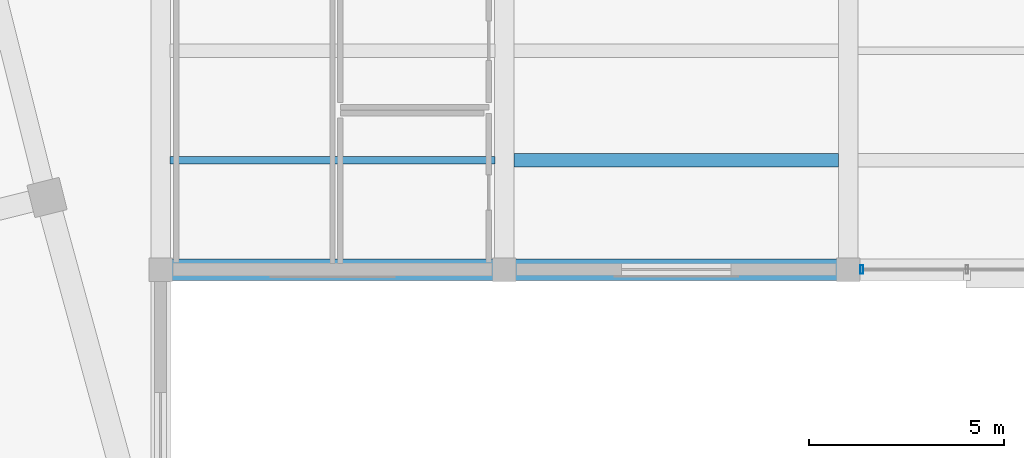
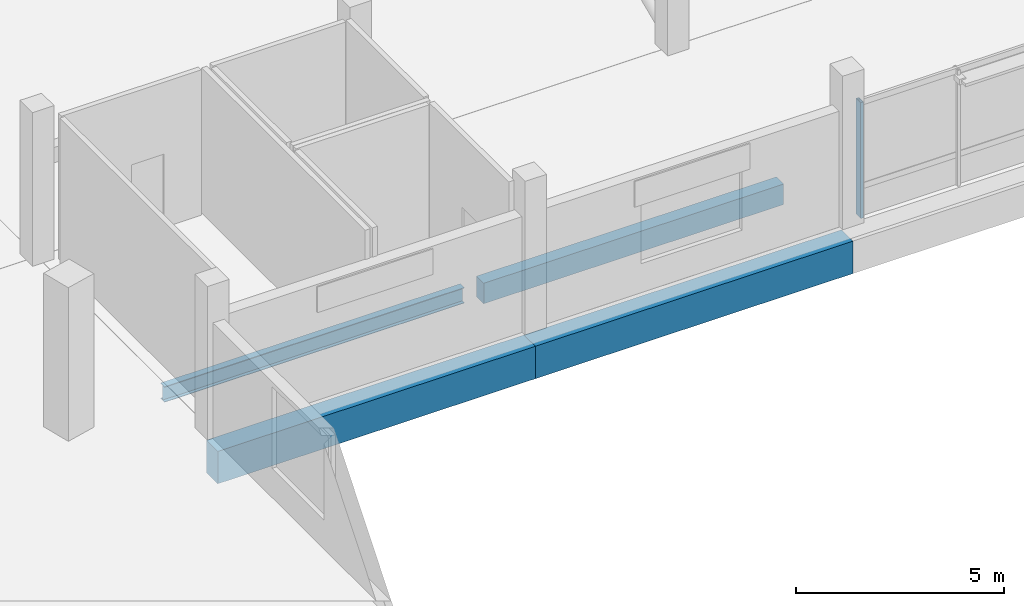
# One storey, part 35 of 77: 4 beams, 1 member, 1 element without a shape of its own.
"""IFC4 building model written with IfcOpenShell, lengths in metres."""

from ifc_helpers import new_model, si_unit, direction, frame, origin, origin_2d, place, context, subcontext, project, spatial, rectangle, hollow_rectangle, i_section, extrude, material, layer, layer_set, material_profile, profile_set, type_object, element, aggregate, save


model = new_model("IFC4")

# Units and contexts
model_context = context("Model", 3, precision=1e-05, world=origin(), true_north=direction((0.0, 1.0)))
body_context = subcontext(model_context, "Body", "Model", "MODEL_VIEW")
ifc_project = project(units=[si_unit("LENGTHUNIT", "METRE"), si_unit("AREAUNIT", "SQUARE_METRE"), si_unit("VOLUMEUNIT", "CUBIC_METRE"), si_unit("PLANEANGLEUNIT", "RADIAN"), si_unit("MASSUNIT", "GRAM", prefix="KILO")], contexts=[model_context])

# Site, building, storey
site_placement = place(None, origin())
site = spatial("IfcSite", under=ifc_project, at=site_placement, CompositionType="ELEMENT")
building_placement = place(site_placement, origin())
building = spatial("IfcBuilding", under=site, at=building_placement, Name="Meriwether Solvik Hall", CompositionType="ELEMENT")
storey_placement = place(building_placement, frame((0.0, 0.0, 9.89990234375)))
storey = spatial("IfcBuildingStorey", under=building, at=storey_placement, Name="L02", CompositionType="ELEMENT", Elevation=9.89990234375)

# Beams
ifc_material_1 = material(Name="Concrete C40/50", Category="concrete")
ifc_material_profile_1 = material_profile(ifc_material_1, rectangle(XDim=0.35009765625, YDim=0.60009765625, at=origin_2d()), Name="RCB-350X600")
ifc_profile_set_1 = profile_set([ifc_material_profile_1], Name="Concrete C40/50")
beam_type_1 = type_object("IfcBeamType", Name="BM-RC-350X600", PredefinedType="JOIST", material=ifc_profile_set_1)
beam_1_placement = place(storey_placement, frame((123.2451171875, 52.800048828125, -0.75), z_axis=(1.0, 0.0, 0.0), x_axis=(0.0, 1.0, 0.0)))
element("IfcBeam", 1, at=beam_1_placement, inside=storey, type_object=beam_type_1, Name="Secondary Floor Joist 14/F_J1 (L02)", PredefinedType="JOIST", context=body_context, shape_type="SweptSolid", body=[
    extrude(rectangle(XDim=0.35009765625, YDim=0.60009765625, at=origin_2d()), origin(), (0.0, 0.0, 1.0), 8.309814453125),
])
ifc_material_2 = material(Name="Concrete C40/50", Category="concrete")
ifc_material_profile_2 = material_profile(ifc_material_2, rectangle(XDim=0.550048828125, YDim=0.949951171875, at=origin_2d()), Name="RCB-550X950")
ifc_profile_set_2 = profile_set([ifc_material_profile_2], Name="Concrete C40/50")
beam_type_2 = type_object("IfcBeamType", Name="BM-RC-550X950", PredefinedType="BEAM", material=ifc_profile_set_2)
for number, where, z_axis, x_axis, name in (
    (2, (114.199951171875, 50.0, -0.9248046875), (1.0, 0.0, 0.0), (0.0, 1.0, 0.0), "Podium Girder F:13-14 (L02)"),
    (3, (123.0, 50.0, -0.9248046875), (1.0, 0.0, 0.0), (0.0, 1.0, 0.0), "Podium Girder F:14-15 (L02)"),
):
    element("IfcBeam", number, at=place(storey_placement, frame(where, z_axis=z_axis, x_axis=x_axis)), inside=storey, type_object=beam_type_2, Name=name, PredefinedType="BEAM", context=body_context, shape_type="SweptSolid", body=[
        extrude(rectangle(XDim=0.550048828125, YDim=0.949951171875, at=origin_2d()), origin(), (0.0, 0.0, 1.0), 8.800048828125),
    ])
ifc_material_3 = material(Name="Steel A992 Grade 50", Category="steel")
ifc_material_profile_3 = material_profile(ifc_material_3, i_section(OverallWidth=0.19091796875, OverallDepth=0.45703125, WebThickness=0.009033203125, FlangeThickness=0.014404296875, at=origin_2d()), Name="W18X50")
ifc_profile_set_3 = profile_set([ifc_material_profile_3], Name="Steel A992 Grade 50")
beam_type_3 = type_object("IfcBeamType", Name="BM-STL-W18X50", PredefinedType="JOIST", material=ifc_profile_set_3)
beam_2_placement = place(storey_placement, frame((114.445068359375, 52.800048828125, -0.678466796875), z_axis=(1.0, 0.0, 0.0), x_axis=(0.0, 1.0, 0.0)))
element("IfcBeam", 4, at=beam_2_placement, inside=storey, type_object=beam_type_3, Name="Secondary Floor Joist 13/F_J1 (L02)", PredefinedType="JOIST", context=body_context, shape_type="SweptSolid", body=[
    extrude(i_section(OverallWidth=0.19091796875, OverallDepth=0.45703125, WebThickness=0.009033203125, FlangeThickness=0.014404296875, at=origin_2d()), origin(), (0.0, 0.0, 1.0), 8.309814453125),
])

# Curtain wall, member
ifc_material_4 = material(Name="Thermally Broken Anodised Aluminium 6063-T6 and Low-E Glass", Category="aluminium")
ifc_layer = layer(ifc_material_4, 0.179931640625)
ifc_layer_set = layer_set([ifc_layer], Name="Thermally Broken Anodised Aluminium 6063-T6 and Low-E Glass")
curtain_wall_type = type_object("IfcCurtainWallType", Name="CW-SF-POD-C", PredefinedType="USERDEFINED", material=ifc_layer_set)
curtain_wall_placement = place(storey_placement, origin())
curtain_wall = element("IfcCurtainWall", 5, at=curtain_wall_placement, inside=storey, type_object=curtain_wall_type, Name="Curtain Wall wing_XF_15_8 (L02)", ObjectType="STICK STOREFRONT GLAZING", PredefinedType="USERDEFINED")
ifc_material_5 = material(Name="Anodised Aluminium 6063-T6", Category="aluminium")
ifc_material_profile_4 = material_profile(ifc_material_5, hollow_rectangle(XDim=0.074951171875, YDim=0.219970703125, WallThickness=0.005615234375, at=origin_2d()), Name="CWM-75X220")
ifc_profile_set_4 = profile_set([ifc_material_profile_4], Name="Anodised Aluminium 6063-T6")
member_type = type_object("IfcMemberType", Name="CW-MUL-75X220", PredefinedType="MULLION", material=ifc_profile_set_4)
member_placement = place(storey_placement, frame((132.14990234375, 50.0, 0.0), z_axis=(0.0, 0.0, 1.0), x_axis=(-1.0, 0.0, 0.0)))
member = element("IfcMember", 6, at=member_placement, type_object=member_type, Name="Curtain Wall Mullion 4", PredefinedType="MULLION", context=body_context, shape_type="SweptSolid", body=[
    extrude(hollow_rectangle(XDim=0.074951171875, YDim=0.219970703125, WallThickness=0.005615234375, at=origin_2d()), origin(), (0.0, 0.0, 1.0), 3.39501953125),
])
aggregate(curtain_wall, [member])

save(model, "model.ifc")
